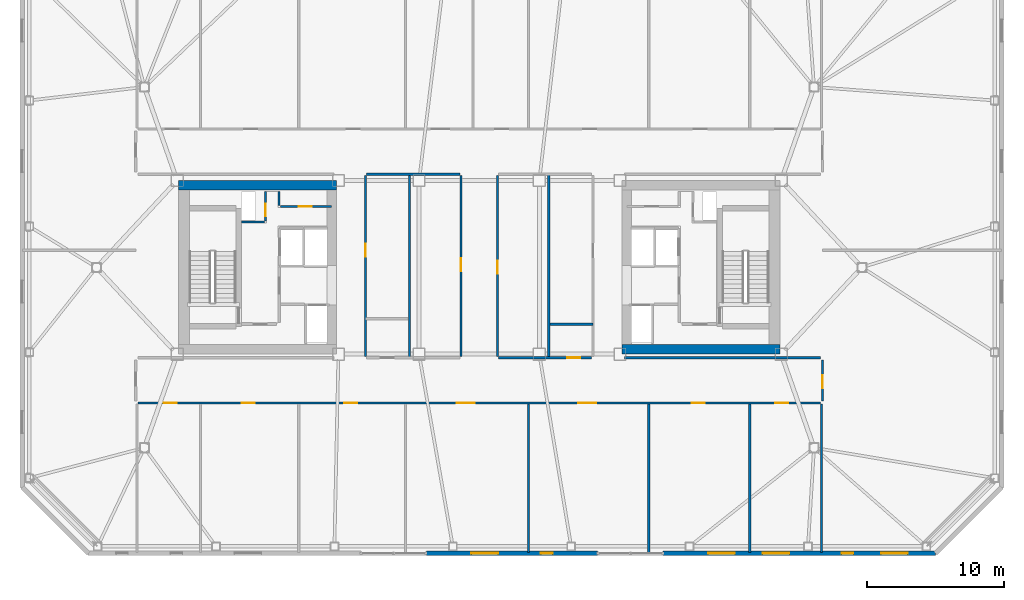
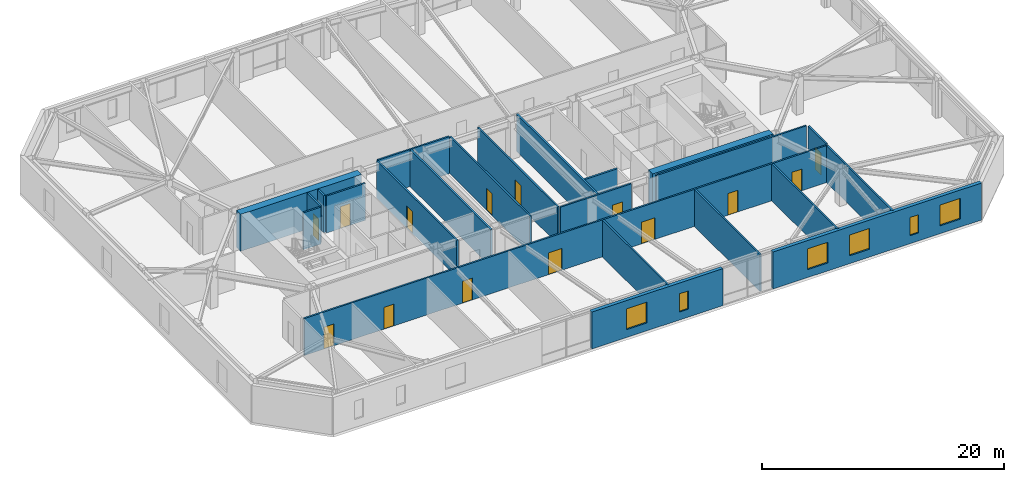
# One storey, part 11 of 18: 23 walls, 14 doors, 6 windows, 20 openings.
"""IFC4 building model written with IfcOpenShell, lengths in metres."""

from ifc_helpers import new_model, si_unit, direction, frame, frame_2d, origin, place, context, subcontext, project, spatial, rectangle, extrude, material, layer, layer_set, type_object, element, fill, save


model = new_model("IFC4")

# Units and contexts
model_context = context("Model", 3, precision=1e-05, world=origin(), true_north=direction((0.0, 1.0)))
body_context = subcontext(model_context, "Body", "Model", "MODEL_VIEW")
ifc_project = project(units=[si_unit("LENGTHUNIT", "METRE"), si_unit("AREAUNIT", "SQUARE_METRE"), si_unit("VOLUMEUNIT", "CUBIC_METRE"), si_unit("PLANEANGLEUNIT", "RADIAN"), si_unit("MASSUNIT", "GRAM", prefix="KILO")], contexts=[model_context])

# Site, building, storey
site_placement = place(None, origin())
site = spatial("IfcSite", under=ifc_project, at=site_placement, CompositionType="ELEMENT")
building_placement = place(site_placement, origin())
building = spatial("IfcBuilding", under=site, at=building_placement, Name="Tavrogorsk Clinical Tower", CompositionType="ELEMENT")
storey_placement = place(building_placement, frame((0.0, 0.0, 196.199951171875)))
storey = spatial("IfcBuildingStorey", under=building, at=storey_placement, Name="L45", CompositionType="ELEMENT", Elevation=196.199951171875)

# Wall, opening, door
ifc_material_1 = material(Name="Lightweight concrete blockwork B15", Category="masonry")
ifc_layer_1 = layer(ifc_material_1, 0.159912109375)
ifc_layer_set_1 = layer_set([ifc_layer_1], Name="Lightweight concrete blockwork B15")
wall_type_1 = type_object("IfcWallType", Name="PartitionWall_160", PredefinedType="PARTITIONING", material=ifc_layer_set_1)
wall_1_placement = place(storey_placement, frame((-14.554931640625, 4.4599609375, 0.0), z_axis=(0.0, 0.0, 1.0), x_axis=(1.0, 0.0, 0.0)))
wall_1 = element("IfcWall", 1, at=wall_1_placement, inside=storey, type_object=wall_type_1, Name="L45 Core West Pneumatic Dispatch South Wall", PredefinedType="PARTITIONING", context=body_context, shape_type="SweptSolid", body=[
    extrude(rectangle(XDim=3.7548828125, YDim=0.159912109375, at=frame_2d((1.87744140625, 0.0))), origin(), (0.0, 0.0, 1.0), 3.739990234375),
])
opening_1_placement = place(wall_1_placement, frame((1.35009765625, 0.0, 0.0)))
opening_1 = element("IfcOpeningElement", 2, at=opening_1_placement, cuts=wall_1, Name="Opening ID-02", PredefinedType="OPENING", context=body_context, shape_type="SweptSolid", body=[
    extrude(rectangle(XDim=0.949951171875, YDim=2.199951171875, at=frame_2d((0.47509765625, 1.10009765625))), frame((0.0, 0.08984375, 0.0), z_axis=(0.0, -1.0, 0.0), x_axis=(1.0, 0.0, 0.0)), (0.0, 0.0, 1.0), 0.179931640625),
])
ifc_material_2 = material(Name="Laminated timber leaf on aluminium frame", Category="wood")
door_type_1 = type_object("IfcDoorType", Name="InteriorDoor_ID02_950", OperationType="NOTDEFINED", PredefinedType="DOOR", material=ifc_material_2)
door_1_placement = place(opening_1_placement, origin())
door_1 = element("IfcDoor", 3, at=door_1_placement, inside=storey, type_object=door_type_1, Name="L45 Core West Pneumatic Dispatch Door", OperationType="SINGLE_SWING_LEFT", OverallHeight=2.199951171875, OverallWidth=0.949951171875, PredefinedType="DOOR", context=body_context, shape_type="SweptSolid", body=[
    extrude(rectangle(XDim=0.949951171875, YDim=2.199951171875, at=frame_2d((0.47509765625, 1.10009765625))), frame((0.0, 0.02490234375, 0.0), z_axis=(0.0, -1.0, 0.0), x_axis=(1.0, 0.0, 0.0)), (0.0, 0.0, 1.0), 0.050048828125),
])
fill(opening_1, door_1)

# Walls
wall_2_placement = place(storey_placement, frame((-14.639892578125, 4.544921875, 0.0), z_axis=(0.0, 0.0, 1.0), x_axis=(0.0, 1.0, 0.0)))
element("IfcWall", 4, at=wall_2_placement, inside=storey, type_object=wall_type_1, Name="L45 Core West Pneumatic Dispatch East Wall", PredefinedType="PARTITIONING", context=body_context, shape_type="SweptSolid", body=[
    extrude(rectangle(XDim=1.01513671875, YDim=0.159912109375, at=frame_2d((0.507568359375, 0.0))), origin(), (0.0, 0.0, 1.0), 3.739990234375),
])
wall_3_placement = place(storey_placement, frame((10.6298828125, -6.6201171875, 0.0), z_axis=(0.0, 0.0, 1.0), x_axis=(1.0, 0.0, 0.0)))
element("IfcWall", 5, at=wall_3_placement, inside=storey, type_object=wall_type_1, Name="L45 Corridor Partition 08", PredefinedType="PARTITIONING", context=body_context, shape_type="SweptSolid", body=[
    extrude(rectangle(XDim=14.335205078125, YDim=0.159912109375, at=frame_2d((7.16748046875, 0.0))), origin(), (0.0, 0.0, 1.0), 3.739990234375),
])

# Wall, opening, door
wall_4_placement = place(storey_placement, frame((25.1298828125, -6.784912109375, 0.0), z_axis=(0.0, 0.0, 1.0), x_axis=(0.0, -1.0, 0.0)))
wall_4 = element("IfcWall", 6, at=wall_4_placement, inside=storey, type_object=wall_type_1, Name="L45 Corridor Partition 09", PredefinedType="PARTITIONING", context=body_context, shape_type="SweptSolid", body=[
    extrude(rectangle(XDim=2.97998046875, YDim=0.159912109375, at=frame_2d((1.489990234375, 0.0))), origin(), (0.0, 0.0, 1.0), 3.739990234375),
])
opening_2_placement = place(wall_4_placement, frame((1.10009765625, 0.0, 0.0)))
opening_2 = element("IfcOpeningElement", 7, at=opening_2_placement, cuts=wall_4, Name="Opening ID-02", PredefinedType="OPENING", context=body_context, shape_type="SweptSolid", body=[
    extrude(rectangle(XDim=0.949951171875, YDim=2.199951171875, at=frame_2d((0.47509765625, 1.10009765625))), frame((0.0, 0.08984375, 0.0), z_axis=(0.0, -1.0, 0.0), x_axis=(1.0, 0.0, 0.0)), (0.0, 0.0, 1.0), 0.179931640625),
])
door_2_placement = place(opening_2_placement, origin())
door_2 = element("IfcDoor", 8, at=door_2_placement, inside=storey, type_object=door_type_1, Name="L45 E Senior Clinician Suite 1 Door", OperationType="SINGLE_SWING_RIGHT", OverallHeight=2.199951171875, OverallWidth=0.949951171875, PredefinedType="DOOR", context=body_context, shape_type="SweptSolid", body=[
    extrude(rectangle(XDim=0.949951171875, YDim=2.199951171875, at=frame_2d((0.47509765625, 1.10009765625))), frame((0.0, 0.02490234375, 0.0), z_axis=(0.0, -1.0, 0.0), x_axis=(1.0, 0.0, 0.0)), (0.0, 0.0, 1.0), 0.050048828125),
])
fill(opening_2, door_2)

# Wall, openings, doors
wall_5_placement = place(storey_placement, frame((24.965087890625, -9.929931640625, 0.0), z_axis=(0.0, 0.0, 1.0), x_axis=(-1.0, 0.0, 0.0)))
wall_5 = element("IfcWall", 9, at=wall_5_placement, inside=storey, type_object=wall_type_1, Name="L45 Corridor Partition 10", PredefinedType="PARTITIONING", context=body_context, shape_type="SweptSolid", body=[
    extrude(rectangle(XDim=49.93017578125, YDim=0.159912109375, at=frame_2d((24.965087890625, 0.0))), origin(), (0.0, 0.0, 1.0), 3.739990234375),
])
opening_3_placement = place(wall_5_placement, frame((47.10595703125, 0.0, 0.0)))
opening_3 = element("IfcOpeningElement", 10, at=opening_3_placement, cuts=wall_5, Name="Opening ID-02", PredefinedType="OPENING", context=body_context, shape_type="SweptSolid", body=[
    extrude(rectangle(XDim=0.949951171875, YDim=2.199951171875, at=frame_2d((0.47509765625, 1.10009765625))), frame((0.0, 0.08984375, 0.0), z_axis=(0.0, -1.0, 0.0), x_axis=(1.0, 0.0, 0.0)), (0.0, 0.0, 1.0), 0.179931640625),
])
opening_4_placement = place(wall_5_placement, frame((41.375, 0.0, 0.0)))
opening_4 = element("IfcOpeningElement", 11, at=opening_4_placement, cuts=wall_5, Name="Opening ID-02", PredefinedType="OPENING", context=body_context, shape_type="SweptSolid", body=[
    extrude(rectangle(XDim=0.949951171875, YDim=2.199951171875, at=frame_2d((0.47509765625, 1.10009765625))), frame((0.0, 0.08984375, 0.0), z_axis=(0.0, -1.0, 0.0), x_axis=(1.0, 0.0, 0.0)), (0.0, 0.0, 1.0), 0.179931640625),
])
opening_5_placement = place(wall_5_placement, frame((33.875, 0.0, 0.0)))
opening_5 = element("IfcOpeningElement", 12, at=opening_5_placement, cuts=wall_5, Name="Opening ID-02", PredefinedType="OPENING", context=body_context, shape_type="SweptSolid", body=[
    extrude(rectangle(XDim=0.949951171875, YDim=2.199951171875, at=frame_2d((0.47509765625, 1.10009765625))), frame((0.0, 0.08984375, 0.0), z_axis=(0.0, -1.0, 0.0), x_axis=(1.0, 0.0, 0.0)), (0.0, 0.0, 1.0), 0.179931640625),
])
opening_6_placement = place(wall_5_placement, frame((25.300048828125, 0.0, 0.0)))
opening_6 = element("IfcOpeningElement", 13, at=opening_6_placement, cuts=wall_5, Name="Opening ID-01", PredefinedType="OPENING", context=body_context, shape_type="SweptSolid", body=[
    extrude(rectangle(XDim=1.300048828125, YDim=2.199951171875, at=frame_2d((0.64990234375, 1.10009765625))), frame((0.0, 0.08984375, 0.0), z_axis=(0.0, -1.0, 0.0), x_axis=(1.0, 0.0, 0.0)), (0.0, 0.0, 1.0), 0.179931640625),
])
opening_7_placement = place(wall_5_placement, frame((16.39990234375, 0.0, 0.0)))
opening_7 = element("IfcOpeningElement", 14, at=opening_7_placement, cuts=wall_5, Name="Opening ID-01", PredefinedType="OPENING", context=body_context, shape_type="SweptSolid", body=[
    extrude(rectangle(XDim=1.300048828125, YDim=2.199951171875, at=frame_2d((0.64990234375, 1.10009765625))), frame((0.0, 0.08984375, 0.0), z_axis=(0.0, -1.0, 0.0), x_axis=(1.0, 0.0, 0.0)), (0.0, 0.0, 1.0), 0.179931640625),
])
opening_8_placement = place(wall_5_placement, frame((8.47509765625, 0.0, 0.0)))
opening_8 = element("IfcOpeningElement", 15, at=opening_8_placement, cuts=wall_5, Name="Opening ID-02", PredefinedType="OPENING", context=body_context, shape_type="SweptSolid", body=[
    extrude(rectangle(XDim=0.949951171875, YDim=2.199951171875, at=frame_2d((0.47509765625, 1.10009765625))), frame((0.0, 0.08984375, 0.0), z_axis=(0.0, -1.0, 0.0), x_axis=(1.0, 0.0, 0.0)), (0.0, 0.0, 1.0), 0.179931640625),
])
opening_9_placement = place(wall_5_placement, frame((2.343994140625, 0.0, 0.0)))
opening_9 = element("IfcOpeningElement", 16, at=opening_9_placement, cuts=wall_5, Name="Opening ID-02", PredefinedType="OPENING", context=body_context, shape_type="SweptSolid", body=[
    extrude(rectangle(XDim=0.949951171875, YDim=2.199951171875, at=frame_2d((0.47509765625, 1.10009765625))), frame((0.0, 0.08984375, 0.0), z_axis=(0.0, -1.0, 0.0), x_axis=(1.0, 0.0, 0.0)), (0.0, 0.0, 1.0), 0.179931640625),
])
door_3_placement = place(opening_3_placement, origin())
door_3 = element("IfcDoor", 17, at=door_3_placement, inside=storey, type_object=door_type_1, Name="L45 South Soiled Utility & Sluice Room 01 Door", OperationType="SINGLE_SWING_LEFT", OverallHeight=2.199951171875, OverallWidth=0.949951171875, PredefinedType="DOOR", context=body_context, shape_type="SweptSolid", body=[
    extrude(rectangle(XDim=0.949951171875, YDim=2.199951171875, at=frame_2d((0.47509765625, 1.10009765625))), frame((0.0, 0.02490234375, 0.0), z_axis=(0.0, -1.0, 0.0), x_axis=(1.0, 0.0, 0.0)), (0.0, 0.0, 1.0), 0.050048828125),
])
fill(opening_3, door_3)
door_4_placement = place(opening_4_placement, origin())
door_4 = element("IfcDoor", 18, at=door_4_placement, inside=storey, type_object=door_type_1, Name="L45 South Clinical Case Seminar Room 02 Door", OperationType="SINGLE_SWING_RIGHT", OverallHeight=2.199951171875, OverallWidth=0.949951171875, PredefinedType="DOOR", context=body_context, shape_type="SweptSolid", body=[
    extrude(rectangle(XDim=0.949951171875, YDim=2.199951171875, at=frame_2d((0.47509765625, 1.10009765625))), frame((0.0, 0.02490234375, 0.0), z_axis=(0.0, -1.0, 0.0), x_axis=(1.0, 0.0, 0.0)), (0.0, 0.0, 1.0), 0.050048828125),
])
fill(opening_4, door_4)
door_5_placement = place(opening_5_placement, origin())
door_5 = element("IfcDoor", 19, at=door_5_placement, inside=storey, type_object=door_type_1, Name="L45 South Staff Rest & Nourishment Lounge 03 Door", OperationType="SINGLE_SWING_LEFT", OverallHeight=2.199951171875, OverallWidth=0.949951171875, PredefinedType="DOOR", context=body_context, shape_type="SweptSolid", body=[
    extrude(rectangle(XDim=0.949951171875, YDim=2.199951171875, at=frame_2d((0.47509765625, 1.10009765625))), frame((0.0, 0.02490234375, 0.0), z_axis=(0.0, -1.0, 0.0), x_axis=(1.0, 0.0, 0.0)), (0.0, 0.0, 1.0), 0.050048828125),
])
fill(opening_5, door_5)
door_6_placement = place(opening_8_placement, origin())
door_6 = element("IfcDoor", 20, at=door_6_placement, inside=storey, type_object=door_type_1, Name="L45 South Soiled Utility & Sluice Room 06 Door", OperationType="SINGLE_SWING_RIGHT", OverallHeight=2.199951171875, OverallWidth=0.949951171875, PredefinedType="DOOR", context=body_context, shape_type="SweptSolid", body=[
    extrude(rectangle(XDim=0.949951171875, YDim=2.199951171875, at=frame_2d((0.47509765625, 1.10009765625))), frame((0.0, 0.02490234375, 0.0), z_axis=(0.0, -1.0, 0.0), x_axis=(1.0, 0.0, 0.0)), (0.0, 0.0, 1.0), 0.050048828125),
])
fill(opening_8, door_6)
door_7_placement = place(opening_9_placement, origin())
door_7 = element("IfcDoor", 21, at=door_7_placement, inside=storey, type_object=door_type_1, Name="L45 South Clinical Case Seminar Room 07 Door", OperationType="SINGLE_SWING_LEFT", OverallHeight=2.199951171875, OverallWidth=0.949951171875, PredefinedType="DOOR", context=body_context, shape_type="SweptSolid", body=[
    extrude(rectangle(XDim=0.949951171875, YDim=2.199951171875, at=frame_2d((0.47509765625, 1.10009765625))), frame((0.0, 0.02490234375, 0.0), z_axis=(0.0, -1.0, 0.0), x_axis=(1.0, 0.0, 0.0)), (0.0, 0.0, 1.0), 0.050048828125),
])
fill(opening_9, door_7)
ifc_material_3 = material(Name="Antibacterial HPL medical leaf on aluminium frame", Category="aluminium")
door_type_2 = type_object("IfcDoorType", Name="WardBedDoor_ID01_1300", OperationType="NOTDEFINED", PredefinedType="DOOR", material=ifc_material_3)
door_8_placement = place(opening_6_placement, origin())
door_8 = element("IfcDoor", 22, at=door_8_placement, inside=storey, type_object=door_type_2, Name="L45 South Bariatric Observation Ward 04 Door", OperationType="SINGLE_SWING_RIGHT", OverallHeight=2.199951171875, OverallWidth=1.300048828125, PredefinedType="DOOR", context=body_context, shape_type="SweptSolid", body=[
    extrude(rectangle(XDim=1.300048828125, YDim=2.199951171875, at=frame_2d((0.64990234375, 1.10009765625))), frame((0.0, 0.02490234375, 0.0), z_axis=(0.0, -1.0, 0.0), x_axis=(1.0, 0.0, 0.0)), (0.0, 0.0, 1.0), 0.050048828125),
])
fill(opening_6, door_8)
door_9_placement = place(opening_7_placement, origin())
door_9 = element("IfcDoor", 23, at=door_9_placement, inside=storey, type_object=door_type_2, Name="L45 South Surgical Step-Down Ward 05 Door", OperationType="SINGLE_SWING_LEFT", OverallHeight=2.199951171875, OverallWidth=1.300048828125, PredefinedType="DOOR", context=body_context, shape_type="SweptSolid", body=[
    extrude(rectangle(XDim=1.300048828125, YDim=2.199951171875, at=frame_2d((0.64990234375, 1.10009765625))), frame((0.0, 0.02490234375, 0.0), z_axis=(0.0, -1.0, 0.0), x_axis=(1.0, 0.0, 0.0)), (0.0, 0.0, 1.0), 0.050048828125),
])
fill(opening_7, door_9)

# Wall, opening, door
wall_6_placement = place(storey_placement, frame((1.330078125, 6.735107421875, 0.0), z_axis=(0.0, 0.0, 1.0), x_axis=(0.0, -1.0, 0.0)))
wall_6 = element("IfcWall", 24, at=wall_6_placement, inside=storey, type_object=wall_type_1, Name="L45 Corridor Partition 12", PredefinedType="PARTITIONING", context=body_context, shape_type="SweptSolid", body=[
    extrude(rectangle(XDim=13.27001953125, YDim=0.159912109375, at=frame_2d((6.635009765625, 0.0))), origin(), (0.0, 0.0, 1.0), 3.739990234375),
])
opening_10_placement = place(wall_6_placement, frame((6.2451171875, 0.0, 0.0)))
opening_10 = element("IfcOpeningElement", 25, at=opening_10_placement, cuts=wall_6, Name="Opening ID-02", PredefinedType="OPENING", context=body_context, shape_type="SweptSolid", body=[
    extrude(rectangle(XDim=0.949951171875, YDim=2.199951171875, at=frame_2d((0.47509765625, 1.10009765625))), frame((0.0, 0.08984375, 0.0), z_axis=(0.0, -1.0, 0.0), x_axis=(1.0, 0.0, 0.0)), (0.0, 0.0, 1.0), 0.179931640625),
])
door_10_placement = place(opening_10_placement, origin())
door_10 = element("IfcDoor", 26, at=door_10_placement, inside=storey, type_object=door_type_1, Name="L45 Clean Medication Preparation Room Door", OperationType="SINGLE_SWING_LEFT", OverallHeight=2.199951171875, OverallWidth=0.949951171875, PredefinedType="DOOR", context=body_context, shape_type="SweptSolid", body=[
    extrude(rectangle(XDim=0.949951171875, YDim=2.199951171875, at=frame_2d((0.47509765625, 1.10009765625))), frame((0.0, 0.02490234375, 0.0), z_axis=(0.0, -1.0, 0.0), x_axis=(1.0, 0.0, 0.0)), (0.0, 0.0, 1.0), 0.050048828125),
])
fill(opening_10, door_10)

wall_7_placement = place(storey_placement, frame((1.4150390625, -6.6201171875, 0.0), z_axis=(0.0, 0.0, 1.0), x_axis=(1.0, 0.0, 0.0)))
wall_7 = element("IfcWall", 27, at=wall_7_placement, inside=storey, type_object=wall_type_1, Name="L45 Corridor Partition 13", PredefinedType="PARTITIONING", context=body_context, shape_type="SweptSolid", body=[
    extrude(rectangle(XDim=6.820068359375, YDim=0.159912109375, at=frame_2d((3.41015625, 0.0))), origin(), (0.0, 0.0, 1.0), 3.739990234375),
])
opening_11_placement = place(wall_7_placement, frame((5.010986328125, 0.0, 0.0)))
opening_11 = element("IfcOpeningElement", 28, at=opening_11_placement, cuts=wall_7, Name="Opening ID-02", PredefinedType="OPENING", context=body_context, shape_type="SweptSolid", body=[
    extrude(rectangle(XDim=0.949951171875, YDim=2.199951171875, at=frame_2d((0.47509765625, 1.10009765625))), frame((0.0, 0.08984375, 0.0), z_axis=(0.0, -1.0, 0.0), x_axis=(1.0, 0.0, 0.0)), (0.0, 0.0, 1.0), 0.179931640625),
])
door_11_placement = place(opening_11_placement, origin())
door_11 = element("IfcDoor", 29, at=door_11_placement, inside=storey, type_object=door_type_1, Name="L45 Staff & Visitor Accessible WC Door", OperationType="SINGLE_SWING_RIGHT", OverallHeight=2.199951171875, OverallWidth=0.949951171875, PredefinedType="DOOR", context=body_context, shape_type="SweptSolid", body=[
    extrude(rectangle(XDim=0.949951171875, YDim=2.199951171875, at=frame_2d((0.47509765625, 1.10009765625))), frame((0.0, 0.02490234375, 0.0), z_axis=(0.0, -1.0, 0.0), x_axis=(1.0, 0.0, 0.0)), (0.0, 0.0, 1.0), 0.050048828125),
])
fill(opening_11, door_11)

wall_8_placement = place(storey_placement, frame((-1.330078125, -6.534912109375, 0.0), z_axis=(0.0, 0.0, 1.0), x_axis=(0.0, 1.0, 0.0)))
wall_8 = element("IfcWall", 30, at=wall_8_placement, inside=storey, type_object=wall_type_1, Name="L45 Corridor Partition 15", PredefinedType="PARTITIONING", context=body_context, shape_type="SweptSolid", body=[
    extrude(rectangle(XDim=13.27001953125, YDim=0.159912109375, at=frame_2d((6.635009765625, 0.0))), origin(), (0.0, 0.0, 1.0), 3.739990234375),
])
opening_12_placement = place(wall_8_placement, frame((6.2451171875, 0.0, 0.0)))
opening_12 = element("IfcOpeningElement", 31, at=opening_12_placement, cuts=wall_8, Name="Opening ID-02", PredefinedType="OPENING", context=body_context, shape_type="SweptSolid", body=[
    extrude(rectangle(XDim=0.949951171875, YDim=2.199951171875, at=frame_2d((0.47509765625, 1.10009765625))), frame((0.0, 0.08984375, 0.0), z_axis=(0.0, -1.0, 0.0), x_axis=(1.0, 0.0, 0.0)), (0.0, 0.0, 1.0), 0.179931640625),
])
door_12_placement = place(opening_12_placement, origin())
door_12 = element("IfcDoor", 32, at=door_12_placement, inside=storey, type_object=door_type_1, Name="L45 Nurses' Station & Telemetry Hub Door", OperationType="SINGLE_SWING_RIGHT", OverallHeight=2.199951171875, OverallWidth=0.949951171875, PredefinedType="DOOR", context=body_context, shape_type="SweptSolid", body=[
    extrude(rectangle(XDim=0.949951171875, YDim=2.199951171875, at=frame_2d((0.47509765625, 1.10009765625))), frame((0.0, 0.02490234375, 0.0), z_axis=(0.0, -1.0, 0.0), x_axis=(1.0, 0.0, 0.0)), (0.0, 0.0, 1.0), 0.050048828125),
])
fill(opening_12, door_12)

# Wall
wall_9_placement = place(storey_placement, frame((-1.4150390625, 6.820068359375, 0.0), z_axis=(0.0, 0.0, 1.0), x_axis=(-1.0, 0.0, 0.0)))
element("IfcWall", 33, at=wall_9_placement, inside=storey, type_object=wall_type_1, Name="L45 Corridor Partition 16", PredefinedType="PARTITIONING", context=body_context, shape_type="SweptSolid", body=[
    extrude(rectangle(XDim=6.820068359375, YDim=0.159912109375, at=frame_2d((3.41015625, 0.0))), origin(), (0.0, 0.0, 1.0), 3.739990234375),
])

# Wall, opening, door
wall_10_placement = place(storey_placement, frame((-8.320068359375, 6.735107421875, 0.0), z_axis=(0.0, 0.0, 1.0), x_axis=(0.0, -1.0, 0.0)))
wall_10 = element("IfcWall", 34, at=wall_10_placement, inside=storey, type_object=wall_type_1, Name="L45 Corridor Partition 17", PredefinedType="PARTITIONING", context=body_context, shape_type="SweptSolid", body=[
    extrude(rectangle(XDim=13.27001953125, YDim=0.159912109375, at=frame_2d((6.635009765625, 0.0))), origin(), (0.0, 0.0, 1.0), 3.739990234375),
])
opening_13_placement = place(wall_10_placement, frame((5.004150390625, 0.0, 0.0)))
opening_13 = element("IfcOpeningElement", 35, at=opening_13_placement, cuts=wall_10, Name="Opening ID-02", PredefinedType="OPENING", context=body_context, shape_type="SweptSolid", body=[
    extrude(rectangle(XDim=0.949951171875, YDim=2.199951171875, at=frame_2d((0.47509765625, 1.10009765625))), frame((0.0, 0.08984375, 0.0), z_axis=(0.0, -1.0, 0.0), x_axis=(1.0, 0.0, 0.0)), (0.0, 0.0, 1.0), 0.179931640625),
])
door_13_placement = place(opening_13_placement, origin())
door_13 = element("IfcDoor", 36, at=door_13_placement, inside=storey, type_object=door_type_1, Name="L45 Ward Nourishment Pantry Door", OperationType="SINGLE_SWING_LEFT", OverallHeight=2.199951171875, OverallWidth=0.949951171875, PredefinedType="DOOR", context=body_context, shape_type="SweptSolid", body=[
    extrude(rectangle(XDim=0.949951171875, YDim=2.199951171875, at=frame_2d((0.47509765625, 1.10009765625))), frame((0.0, 0.02490234375, 0.0), z_axis=(0.0, -1.0, 0.0), x_axis=(1.0, 0.0, 0.0)), (0.0, 0.0, 1.0), 0.050048828125),
])
fill(opening_13, door_13)

# Walls
for number, where, z_axis, x_axis, name in (
    (37, (25.050048828125, -20.860107421875, 0.0), (0.0, 0.0, 1.0), (0.0, 1.0, 0.0), "L45 SE Wing Closure Partition"),
    (38, (3.60009765625, -20.860107421875, 0.0), (0.0, 0.0, 1.0), (0.0, 1.0, 0.0), "L45 South Room Partition 4"),
    (39, (12.39990234375, -20.860107421875, 0.0), (0.0, 0.0, 1.0), (0.0, 1.0, 0.0), "L45 South Room Partition 5"),
    (40, (19.800048828125, -20.860107421875, 0.0), (0.0, 0.0, 1.0), (0.0, 1.0, 0.0), "L45 South Room Partition 6"),
):
    element("IfcWall", number, at=place(storey_placement, frame(where, z_axis=z_axis, x_axis=x_axis)), inside=storey, type_object=wall_type_1, Name=name, PredefinedType="PARTITIONING", context=body_context, shape_type="SweptSolid", body=[
        extrude(rectangle(XDim=10.84521484375, YDim=0.159912109375, at=frame_2d((5.422607421875, 0.0))), origin(), (0.0, 0.0, 1.0), 3.739990234375),
    ])
ifc_material_4 = material(Name="Lightweight concrete blockwork B20", Category="masonry")
ifc_layer_2 = layer(ifc_material_4, 0.179931640625)
ifc_layer_set_2 = layer_set([ifc_layer_2], Name="Lightweight concrete blockwork B20")
wall_type_2 = type_object("IfcWallType", Name="PartitionWall_180", PredefinedType="PARTITIONING", material=ifc_layer_set_2)
for number, where, z_axis, x_axis, name in (
    (41, (-5.10009765625, -6.614990234375, 0.0), (0.0, 0.0, 1.0), (0.0, 1.0, 0.0), "L45 Central Spine Partition 1"),
    (42, (5.10009765625, -6.614990234375, 0.0), (0.0, 0.0, 1.0), (0.0, 1.0, 0.0), "L45 Central Spine Partition 2"),
):
    element("IfcWall", number, at=place(storey_placement, frame(where, z_axis=z_axis, x_axis=x_axis)), inside=storey, type_object=wall_type_2, Name=name, PredefinedType="PARTITIONING", context=body_context, shape_type="SweptSolid", body=[
        extrude(rectangle(XDim=13.429931640625, YDim=0.179931640625, at=frame_2d((6.71484375, 0.0))), origin(), (0.0, 0.0, 1.0), 3.739990234375),
    ])
wall_11_placement = place(storey_placement, frame((5.195068359375, -4.14990234375, 0.0), z_axis=(0.0, 0.0, 1.0), x_axis=(1.0, 0.0, 0.0)))
element("IfcWall", 43, at=wall_11_placement, inside=storey, type_object=wall_type_2, Name="L45 Central Spine Partition 4", PredefinedType="PARTITIONING", context=body_context, shape_type="SweptSolid", body=[
    extrude(rectangle(XDim=3.119873046875, YDim=0.179931640625, at=frame_2d((1.56005859375, 0.0))), origin(), (0.0, 0.0, 1.0), 3.739990234375),
])

# Wall, openings, windows
ifc_material_5 = material(Name="Precast concrete B45 with limestone cladding", Category="masonry")
ifc_layer_3 = layer(ifc_material_5, 0.340087890625)
ifc_layer_set_3 = layer_set([ifc_layer_3], Name="Precast concrete B45 with limestone cladding")
wall_type_3 = type_object("IfcWallType", Name="PrecastLimestoneWall_340", PredefinedType="STANDARD", material=ifc_layer_set_3)
wall_12_placement = place(storey_placement, frame((-3.86279296875, -20.929931640625, 0.0), z_axis=(0.0, 0.0, 1.0), x_axis=(1.0, 0.0, 0.0)))
wall_12 = element("IfcWall", 44, at=wall_12_placement, inside=storey, type_object=wall_type_3, Name="L45 S Limestone Facade Wall 2", PredefinedType="STANDARD", context=body_context, shape_type="SweptSolid", body=[
    extrude(rectangle(XDim=12.525634765625, YDim=0.340087890625, at=frame_2d((6.2626953125, 0.0))), origin(), (0.0, 0.0, 1.0), 3.739990234375),
])
opening_14_placement = place(wall_12_placement, frame((3.29541015625, 0.0, 0.800048828125)))
opening_14 = element("IfcOpeningElement", 45, at=opening_14_placement, cuts=wall_12, Name="Opening WN-13", PredefinedType="OPENING", context=body_context, shape_type="SweptSolid", body=[
    extrude(rectangle(XDim=1.949951171875, YDim=2.10009765625, at=frame_2d((0.97509765625, 1.050048828125))), frame((0.0, 0.179931640625, 0.0), z_axis=(0.0, -1.0, 0.0), x_axis=(1.0, 0.0, 0.0)), (0.0, 0.0, 1.0), 0.360107421875),
])
opening_15_placement = place(wall_12_placement, frame((8.38037109375, 0.0, 0.800048828125)))
opening_15 = element("IfcOpeningElement", 46, at=opening_15_placement, cuts=wall_12, Name="Opening WN-06", PredefinedType="OPENING", context=body_context, shape_type="SweptSolid", body=[
    extrude(rectangle(XDim=0.85009765625, YDim=1.85009765625, at=frame_2d((0.425048828125, 0.925048828125))), frame((0.0, 0.179931640625, 0.0), z_axis=(0.0, -1.0, 0.0), x_axis=(1.0, 0.0, 0.0)), (0.0, 0.0, 1.0), 0.360107421875),
])
ifc_material_6 = material(Name="Thermally broken aluminium frame and triple IGU", Category="aluminium")
window_type_1 = type_object("IfcWindowType", Name="ExamRoomWin_1950x2100", PartitioningType="DOUBLE_PANEL_VERTICAL", PredefinedType="WINDOW", material=ifc_material_6)
window_1_placement = place(opening_14_placement, origin())
window_1 = element("IfcWindow", 47, at=window_1_placement, inside=storey, type_object=window_type_1, Name="L45 S Chicago Window 05", OverallHeight=2.10009765625, OverallWidth=1.949951171875, PartitioningType="SINGLE_PANEL", PredefinedType="WINDOW", context=body_context, shape_type="SweptSolid", body=[
    extrude(rectangle(XDim=1.949951171875, YDim=2.10009765625, at=frame_2d((0.97509765625, 1.050048828125))), frame((0.0, 0.030029296875, 0.0), z_axis=(0.0, -1.0, 0.0), x_axis=(1.0, 0.0, 0.0)), (0.0, 0.0, 1.0), 0.06005859375),
])
fill(opening_14, window_1)
ifc_material_7 = material(Name="Thermally broken aluminium frame and triple IGU", Category="aluminium")
window_type_2 = type_object("IfcWindowType", Name="MullionSubWin_850x1850", PartitioningType="SINGLE_PANEL", PredefinedType="WINDOW", material=ifc_material_7)
window_2_placement = place(opening_15_placement, origin())
window_2 = element("IfcWindow", 48, at=window_2_placement, inside=storey, type_object=window_type_2, Name="L45 S Mullion Split Window 06B", OverallHeight=1.85009765625, OverallWidth=0.85009765625, PartitioningType="SINGLE_PANEL", PredefinedType="WINDOW", context=body_context, shape_type="SweptSolid", body=[
    extrude(rectangle(XDim=0.85009765625, YDim=1.85009765625, at=frame_2d((0.425048828125, 0.925048828125))), frame((0.0, 0.030029296875, 0.0), z_axis=(0.0, -1.0, 0.0), x_axis=(1.0, 0.0, 0.0)), (0.0, 0.0, 1.0), 0.06005859375),
])
fill(opening_15, window_2)

wall_13_placement = place(storey_placement, frame((13.462890625, -20.929931640625, 0.0), z_axis=(0.0, 0.0, 1.0), x_axis=(1.0, 0.0, 0.0)))
wall_13 = element("IfcWall", 49, at=wall_13_placement, inside=storey, type_object=wall_type_3, Name="L45 S Limestone Facade Wall 3", PredefinedType="STANDARD", context=body_context, shape_type="SweptSolid", body=[
    extrude(rectangle(XDim=19.93701171875, YDim=0.340087890625, at=frame_2d((9.968505859375, 0.0))), origin(), (0.0, 0.0, 1.0), 3.739990234375),
])
opening_16_placement = place(wall_13_placement, frame((3.29541015625, 0.0, 0.800048828125)))
opening_16 = element("IfcOpeningElement", 50, at=opening_16_placement, cuts=wall_13, Name="Opening WN-13", PredefinedType="OPENING", context=body_context, shape_type="SweptSolid", body=[
    extrude(rectangle(XDim=1.949951171875, YDim=2.10009765625, at=frame_2d((0.97509765625, 1.050048828125))), frame((0.0, 0.179931640625, 0.0), z_axis=(0.0, -1.0, 0.0), x_axis=(1.0, 0.0, 0.0)), (0.0, 0.0, 1.0), 0.360107421875),
])
opening_17_placement = place(wall_13_placement, frame((7.2802734375, 0.0, 0.800048828125)))
opening_17 = element("IfcOpeningElement", 51, at=opening_17_placement, cuts=wall_13, Name="Opening WN-13", PredefinedType="OPENING", context=body_context, shape_type="SweptSolid", body=[
    extrude(rectangle(XDim=1.949951171875, YDim=2.10009765625, at=frame_2d((0.97509765625, 1.050048828125))), frame((0.0, 0.179931640625, 0.0), z_axis=(0.0, -1.0, 0.0), x_axis=(1.0, 0.0, 0.0)), (0.0, 0.0, 1.0), 0.360107421875),
])
opening_18_placement = place(wall_13_placement, frame((13.058349609375, 0.0, 0.800048828125)))
opening_18 = element("IfcOpeningElement", 52, at=opening_18_placement, cuts=wall_13, Name="Opening WN-06", PredefinedType="OPENING", context=body_context, shape_type="SweptSolid", body=[
    extrude(rectangle(XDim=0.85009765625, YDim=1.85009765625, at=frame_2d((0.425048828125, 0.925048828125))), frame((0.0, 0.179931640625, 0.0), z_axis=(0.0, -1.0, 0.0), x_axis=(1.0, 0.0, 0.0)), (0.0, 0.0, 1.0), 0.360107421875),
])
opening_19_placement = place(wall_13_placement, frame((15.943115234375, 0.0, 0.800048828125)))
opening_19 = element("IfcOpeningElement", 53, at=opening_19_placement, cuts=wall_13, Name="Opening WN-13", PredefinedType="OPENING", context=body_context, shape_type="SweptSolid", body=[
    extrude(rectangle(XDim=1.949951171875, YDim=2.10009765625, at=frame_2d((0.97509765625, 1.050048828125))), frame((0.0, 0.179931640625, 0.0), z_axis=(0.0, -1.0, 0.0), x_axis=(1.0, 0.0, 0.0)), (0.0, 0.0, 1.0), 0.360107421875),
])
window_3_placement = place(opening_16_placement, origin())
window_3 = element("IfcWindow", 54, at=window_3_placement, inside=storey, type_object=window_type_1, Name="L45 S Chicago Window 07", OverallHeight=2.10009765625, OverallWidth=1.949951171875, PartitioningType="SINGLE_PANEL", PredefinedType="WINDOW", context=body_context, shape_type="SweptSolid", body=[
    extrude(rectangle(XDim=1.949951171875, YDim=2.10009765625, at=frame_2d((0.97509765625, 1.050048828125))), frame((0.0, 0.030029296875, 0.0), z_axis=(0.0, -1.0, 0.0), x_axis=(1.0, 0.0, 0.0)), (0.0, 0.0, 1.0), 0.06005859375),
])
fill(opening_16, window_3)
window_4_placement = place(opening_17_placement, origin())
window_4 = element("IfcWindow", 55, at=window_4_placement, inside=storey, type_object=window_type_1, Name="L45 S Chicago Window 08", OverallHeight=2.10009765625, OverallWidth=1.949951171875, PartitioningType="SINGLE_PANEL", PredefinedType="WINDOW", context=body_context, shape_type="SweptSolid", body=[
    extrude(rectangle(XDim=1.949951171875, YDim=2.10009765625, at=frame_2d((0.97509765625, 1.050048828125))), frame((0.0, 0.030029296875, 0.0), z_axis=(0.0, -1.0, 0.0), x_axis=(1.0, 0.0, 0.0)), (0.0, 0.0, 1.0), 0.06005859375),
])
fill(opening_17, window_4)
window_5_placement = place(opening_19_placement, origin())
window_5 = element("IfcWindow", 56, at=window_5_placement, inside=storey, type_object=window_type_1, Name="L45 S Chicago Window 10", OverallHeight=2.10009765625, OverallWidth=1.949951171875, PartitioningType="SINGLE_PANEL", PredefinedType="WINDOW", context=body_context, shape_type="SweptSolid", body=[
    extrude(rectangle(XDim=1.949951171875, YDim=2.10009765625, at=frame_2d((0.97509765625, 1.050048828125))), frame((0.0, 0.030029296875, 0.0), z_axis=(0.0, -1.0, 0.0), x_axis=(1.0, 0.0, 0.0)), (0.0, 0.0, 1.0), 0.06005859375),
])
fill(opening_19, window_5)
window_6_placement = place(opening_18_placement, origin())
window_6 = element("IfcWindow", 57, at=window_6_placement, inside=storey, type_object=window_type_2, Name="L45 S Mullion Split Window 09B", OverallHeight=1.85009765625, OverallWidth=0.85009765625, PartitioningType="SINGLE_PANEL", PredefinedType="WINDOW", context=body_context, shape_type="SweptSolid", body=[
    extrude(rectangle(XDim=0.85009765625, YDim=1.85009765625, at=frame_2d((0.425048828125, 0.925048828125))), frame((0.0, 0.030029296875, 0.0), z_axis=(0.0, -1.0, 0.0), x_axis=(1.0, 0.0, 0.0)), (0.0, 0.0, 1.0), 0.06005859375),
])
fill(opening_18, window_6)

# Wall, opening, door
ifc_material_8 = material(Name="Lightweight concrete blockwork B25", Category="masonry")
ifc_layer_4 = layer(ifc_material_8, 0.159912109375)
ifc_layer_set_4 = layer_set([ifc_layer_4], Name="Lightweight concrete blockwork B25")
wall_type_4 = type_object("IfcWallType", Name="ShaftWall_160", PredefinedType="PARTITIONING", material=ifc_layer_set_4)
wall_14_placement = place(storey_placement, frame((-15.639892578125, 3.405029296875, 0.0), z_axis=(0.0, 0.0, 1.0), x_axis=(0.0, 1.0, 0.0)))
wall_14 = element("IfcWall", 58, at=wall_14_placement, inside=storey, type_object=wall_type_4, Name="L45 Core West Riser West Wall", PredefinedType="PARTITIONING", context=body_context, shape_type="SweptSolid", body=[
    extrude(rectangle(XDim=2.155029296875, YDim=0.159912109375, at=frame_2d((1.07763671875, 0.0))), origin(), (0.0, 0.0, 1.0), 3.739990234375),
])
opening_20_placement = place(wall_14_placement, frame((0.35009765625, 0.0, 0.0)))
opening_20 = element("IfcOpeningElement", 59, at=opening_20_placement, cuts=wall_14, Name="Opening FD-02", PredefinedType="OPENING", context=body_context, shape_type="SweptSolid", body=[
    extrude(rectangle(XDim=0.89990234375, YDim=2.199951171875, at=frame_2d((0.449951171875, 1.10009765625))), frame((0.0, 0.08984375, 0.0), z_axis=(0.0, -1.0, 0.0), x_axis=(1.0, 0.0, 0.0)), (0.0, 0.0, 1.0), 0.179931640625),
])
ifc_material_9 = material(Name="Galvanised steel fire-rated door assembly", Category="steel")
door_type_3 = type_object("IfcDoorType", Name="FireDoor_FD02_900", OperationType="NOTDEFINED", PredefinedType="DOOR", material=ifc_material_9)
door_14_placement = place(opening_20_placement, origin())
door_14 = element("IfcDoor", 60, at=door_14_placement, inside=storey, type_object=door_type_3, Name="L45 Core West Electrical Riser Access Door", OperationType="SINGLE_SWING_LEFT", OverallHeight=2.199951171875, OverallWidth=0.89990234375, PredefinedType="DOOR", context=body_context, shape_type="SweptSolid", body=[
    extrude(rectangle(XDim=0.89990234375, YDim=2.199951171875, at=frame_2d((0.449951171875, 1.10009765625))), frame((0.0, 0.02490234375, 0.0), z_axis=(0.0, -1.0, 0.0), x_axis=(1.0, 0.0, 0.0)), (0.0, 0.0, 1.0), 0.050048828125),
])
fill(opening_20, door_14)

# Walls
wall_15_placement = place(storey_placement, frame((-17.3798828125, 3.320068359375, 0.0), z_axis=(0.0, 0.0, 1.0), x_axis=(1.0, 0.0, 0.0)))
element("IfcWall", 61, at=wall_15_placement, inside=storey, type_object=wall_type_4, Name="L45 Core West Riser South Wall", PredefinedType="PARTITIONING", context=body_context, shape_type="SweptSolid", body=[
    extrude(rectangle(XDim=1.65478515625, YDim=0.159912109375, at=frame_2d((0.827392578125, 0.0))), origin(), (0.0, 0.0, 1.0), 3.739990234375),
])
ifc_material_10 = material(Name="Concrete B80", Category="concrete")
ifc_layer_5 = layer(ifc_material_10, 0.699951171875)
ifc_layer_set_5 = layer_set([ifc_layer_5], Name="Concrete B80")
wall_type_5 = type_object("IfcWallType", Name="ShearWall_700", PredefinedType="SHEAR", material=ifc_layer_set_5)
for number, where, z_axis, x_axis, name in (
    (62, (-22.0, 6.0, 0.0), (0.0, 0.0, 1.0), (1.0, 0.0, 0.0), "L45 Core West North Shear Wall"),
    (63, (10.449951171875, -6.0, 0.0), (0.0, 0.0, 1.0), (1.0, 0.0, 0.0), "L45 Core East South Shear Wall"),
):
    element("IfcWall", number, at=place(storey_placement, frame(where, z_axis=z_axis, x_axis=x_axis)), inside=storey, type_object=wall_type_5, Name=name, PredefinedType="SHEAR", context=body_context, shape_type="SweptSolid", body=[
        extrude(rectangle(XDim=11.550048828125, YDim=0.699951171875, at=frame_2d((5.77490234375, 0.0))), origin(), (0.0, 0.0, 1.0), 3.739990234375),
    ])

save(model, "model.ifc")
